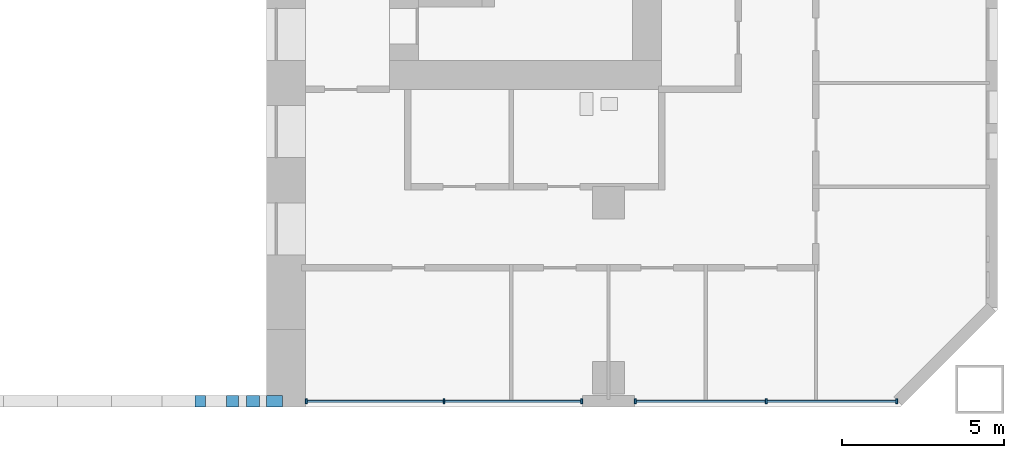
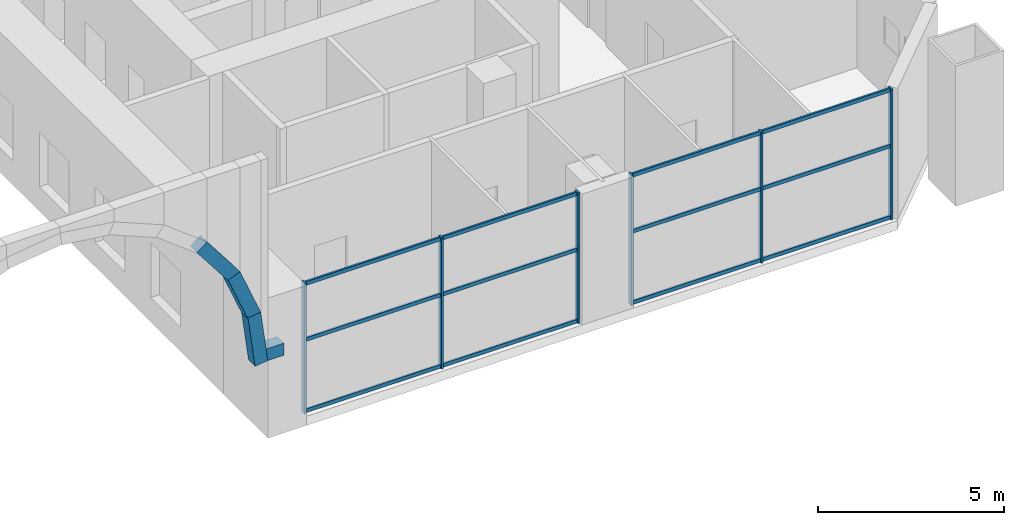
# One storey, part 6 of 21: 18 members, 4 beams, 2 elements without a shape of their own.
"""IFC4 building model written with IfcOpenShell, lengths in metres."""

from ifc_helpers import new_model, si_unit, direction, frame, origin, origin_2d, place, context, subcontext, project, spatial, rectangle, extrude, material, material_profile, profile_set, type_object, element, aggregate, save


model = new_model("IFC4")

# Units and contexts
model_context = context("Model", 3, precision=1e-05, world=origin(), true_north=direction((0.0, 1.0)))
body_context = subcontext(model_context, "Body", "Model", "MODEL_VIEW")
ifc_project = project(units=[si_unit("LENGTHUNIT", "METRE"), si_unit("AREAUNIT", "SQUARE_METRE"), si_unit("VOLUMEUNIT", "CUBIC_METRE"), si_unit("PLANEANGLEUNIT", "RADIAN"), si_unit("MASSUNIT", "GRAM", prefix="KILO")], contexts=[model_context])

# Site, building, storey
site_placement = place(None, origin())
site = spatial("IfcSite", under=ifc_project, at=site_placement, CompositionType="ELEMENT")
building_placement = place(site_placement, origin())
building = spatial("IfcBuilding", under=site, at=building_placement, Name="Tuart Gate Housing", CompositionType="ELEMENT")
storey_placement = place(building_placement, frame((0.0, 0.0, 5.5)))
storey = spatial("IfcBuildingStorey", under=building, at=storey_placement, Name="L01", CompositionType="ELEMENT", Elevation=5.5)

# Curtain wall, members
ifc_material_1 = material(Name="Aluminium and clear glass", Category="aluminium")
curtain_wall_type = type_object("IfcCurtainWallType", Name="Podium health glazing", PredefinedType="USERDEFINED", material=ifc_material_1)
curtain_wall_1_placement = place(storey_placement, origin())
curtain_wall_1 = element("IfcCurtainWall", 1, at=curtain_wall_1_placement, inside=storey, type_object=curtain_wall_type, Name="Podium health glazing B-S L01", ObjectType="PODIUM HEALTH GLAZING", PredefinedType="USERDEFINED")
ifc_material_2 = material(Name="Anodised aluminium", Category="aluminium")
ifc_material_profile_1 = material_profile(ifc_material_2, rectangle(XDim=0.06005859375, YDim=0.159912109375, at=origin_2d()), Name="60x160")
ifc_profile_set_1 = profile_set([ifc_material_profile_1], Name="Anodised aluminium")
member_type_1 = type_object("IfcMemberType", Name="Mullion 60 x 160", PredefinedType="MULLION", material=ifc_profile_set_1)
member_1_placement = place(storey_placement, frame((157.679931640625, 54.179931640625, 0.0), z_axis=(0.0, 0.0, 1.0), x_axis=(1.0, 0.0, 0.0)))
member_1 = element("IfcMember", 2, at=member_1_placement, type_object=member_type_1, Name="CW1 mullion 1", PredefinedType="MULLION", context=body_context, shape_type="SweptSolid", body=[
    extrude(rectangle(XDim=0.06005859375, YDim=0.159912109375, at=origin_2d()), origin(), (0.0, 0.0, 1.0), 4.300048828125),
])
member_2_placement = place(storey_placement, frame((161.925048828125, 54.179931640625, 0.0), z_axis=(0.0, 0.0, 1.0), x_axis=(1.0, 0.0, 0.0)))
member_2 = element("IfcMember", 3, at=member_2_placement, type_object=member_type_1, Name="CW1 mullion 2", PredefinedType="MULLION", context=body_context, shape_type="SweptSolid", body=[
    extrude(rectangle(XDim=0.06005859375, YDim=0.159912109375, at=origin_2d()), origin(), (0.0, 0.0, 1.0), 4.300048828125),
])
member_3_placement = place(storey_placement, frame((166.169921875, 54.179931640625, 0.0), z_axis=(0.0, 0.0, 1.0), x_axis=(1.0, 0.0, 0.0)))
member_3 = element("IfcMember", 4, at=member_3_placement, type_object=member_type_1, Name="CW1 mullion 3", PredefinedType="MULLION", context=body_context, shape_type="SweptSolid", body=[
    extrude(rectangle(XDim=0.06005859375, YDim=0.159912109375, at=origin_2d()), origin(), (0.0, 0.0, 1.0), 4.300048828125),
])

curtain_wall_2_placement = place(storey_placement, origin())
curtain_wall_2 = element("IfcCurtainWall", 5, at=curtain_wall_2_placement, inside=storey, type_object=curtain_wall_type, Name="Podium health glazing B-S L01", ObjectType="PODIUM HEALTH GLAZING", PredefinedType="USERDEFINED")
member_4_placement = place(storey_placement, frame((167.830078125, 54.179931640625, 0.0), z_axis=(0.0, 0.0, 1.0), x_axis=(1.0, 0.0, 0.0)))
member_4 = element("IfcMember", 6, at=member_4_placement, type_object=member_type_1, Name="CW1 mullion 1", PredefinedType="MULLION", context=body_context, shape_type="SweptSolid", body=[
    extrude(rectangle(XDim=0.06005859375, YDim=0.159912109375, at=origin_2d()), origin(), (0.0, 0.0, 1.0), 4.300048828125),
])
member_5_placement = place(storey_placement, frame((171.86279296875, 54.179931640625, 0.0), z_axis=(0.0, 0.0, 1.0), x_axis=(1.0, 0.0, 0.0)))
member_5 = element("IfcMember", 7, at=member_5_placement, type_object=member_type_1, Name="CW1 mullion 2", PredefinedType="MULLION", context=body_context, shape_type="SweptSolid", body=[
    extrude(rectangle(XDim=0.06005859375, YDim=0.159912109375, at=origin_2d()), origin(), (0.0, 0.0, 1.0), 4.300048828125),
])
member_6_placement = place(storey_placement, frame((175.8955078125, 54.179931640625, 0.0), z_axis=(0.0, 0.0, 1.0), x_axis=(1.0, 0.0, 0.0)))
member_6 = element("IfcMember", 8, at=member_6_placement, type_object=member_type_1, Name="CW1 mullion 3", PredefinedType="MULLION", context=body_context, shape_type="SweptSolid", body=[
    extrude(rectangle(XDim=0.06005859375, YDim=0.159912109375, at=origin_2d()), origin(), (0.0, 0.0, 1.0), 4.300048828125),
])

# Beams
ifc_material_3 = material(Name="Concrete C50", Category="concrete")
ifc_material_profile_2 = material_profile(ifc_material_3, rectangle(XDim=0.360107421875, YDim=0.39990234375, at=origin_2d()), Name="RC arch ring 360 x 400")
ifc_profile_set_2 = profile_set([ifc_material_profile_2], Name="Concrete C50")
beam_type = type_object("IfcBeamType", Name="RC arch ring 360 x 400", PredefinedType="BEAM", material=ifc_profile_set_2)
for number, where, z_axis, x_axis, name in (
    (9, (154.402099609375, 54.179931640625, 6.689208984375), (0.608778467774, 0.0, -0.793340265696), (0.0, 1.0, 0.0), "Arch rib beam BS segment 9"),
    (10, (155.401123046875, 54.179931640625, 5.3984375), (0.382637786924, 0.0, -0.923898438151), (0.0, 1.0, 0.0), "Arch rib beam BS segment 10"),
    (11, (156.031982421875, 54.179931640625, 3.893310546875), (0.130492018693, 0.0, -0.991449359805), (0.0, 1.0, 0.0), "Arch rib beam BS segment 11"),
):
    element("IfcBeam", number, at=place(storey_placement, frame(where, z_axis=z_axis, x_axis=x_axis)), inside=storey, type_object=beam_type, Name=name, PredefinedType="BEAM", context=body_context, shape_type="SweptSolid", body=[
        extrude(rectangle(XDim=0.360107421875, YDim=0.39990234375, at=origin_2d()), origin(), (0.0, 0.0, 1.0), 1.683837890625),
    ])
beam_placement = place(storey_placement, frame((156.10009765625, 54.179931640625, 2.449951171875), z_axis=(1.0, 0.0, 0.0), x_axis=(0.0, 1.0, 0.0)))
element("IfcBeam", 12, at=beam_placement, inside=storey, type_object=beam_type, Name="Arch seat beam BS east", PredefinedType="BEAM", context=body_context, shape_type="SweptSolid", body=[
    extrude(rectangle(XDim=0.360107421875, YDim=0.39990234375, at=origin_2d()), origin(), (0.0, 0.0, 1.0), 0.849853515625),
])

# Member
ifc_material_4 = material(Name="Anodised aluminium", Category="aluminium")
ifc_material_profile_3 = material_profile(ifc_material_4, rectangle(XDim=0.06005859375, YDim=0.1201171875, at=origin_2d()), Name="60x120")
ifc_profile_set_3 = profile_set([ifc_material_profile_3], Name="Anodised aluminium")
member_type_2 = type_object("IfcMemberType", Name="Transom 60 x 120", PredefinedType="USERDEFINED", material=ifc_profile_set_3)
member_7_placement = place(storey_placement, frame((157.7099609375, 54.179931640625, 0.06005859375), z_axis=(1.0, 0.0, 0.0), x_axis=(0.0, 1.0, 0.0)))
member_7 = element("IfcMember", 13, at=member_7_placement, type_object=member_type_2, Name="CW1 transom 1.1", ObjectType="TRANSOM", PredefinedType="USERDEFINED", context=body_context, shape_type="SweptSolid", body=[
    extrude(rectangle(XDim=0.06005859375, YDim=0.1201171875, at=origin_2d()), origin(), (0.0, 0.0, 1.0), 4.18505859375),
])

member_8_placement = place(storey_placement, frame((157.7099609375, 54.179931640625, 2.39990234375), z_axis=(1.0, 0.0, 0.0), x_axis=(0.0, 1.0, 0.0)))
member_8 = element("IfcMember", 14, at=member_8_placement, type_object=member_type_2, Name="CW1 transom 1.2", ObjectType="TRANSOM", PredefinedType="USERDEFINED", context=body_context, shape_type="SweptSolid", body=[
    extrude(rectangle(XDim=0.06005859375, YDim=0.1201171875, at=origin_2d()), origin(), (0.0, 0.0, 1.0), 4.18505859375),
])

member_9_placement = place(storey_placement, frame((157.7099609375, 54.179931640625, 4.239990234375), z_axis=(1.0, 0.0, 0.0), x_axis=(0.0, 1.0, 0.0)))
member_9 = element("IfcMember", 15, at=member_9_placement, type_object=member_type_2, Name="CW1 transom 1.3", ObjectType="TRANSOM", PredefinedType="USERDEFINED", context=body_context, shape_type="SweptSolid", body=[
    extrude(rectangle(XDim=0.06005859375, YDim=0.1201171875, at=origin_2d()), origin(), (0.0, 0.0, 1.0), 4.18505859375),
])

member_10_placement = place(storey_placement, frame((161.955078125, 54.179931640625, 0.06005859375), z_axis=(1.0, 0.0, 0.0), x_axis=(0.0, 1.0, 0.0)))
member_10 = element("IfcMember", 16, at=member_10_placement, type_object=member_type_2, Name="CW1 transom 2.1", ObjectType="TRANSOM", PredefinedType="USERDEFINED", context=body_context, shape_type="SweptSolid", body=[
    extrude(rectangle(XDim=0.06005859375, YDim=0.1201171875, at=origin_2d()), origin(), (0.0, 0.0, 1.0), 4.184814453125),
])

member_11_placement = place(storey_placement, frame((161.955078125, 54.179931640625, 2.39990234375), z_axis=(1.0, 0.0, 0.0), x_axis=(0.0, 1.0, 0.0)))
member_11 = element("IfcMember", 17, at=member_11_placement, type_object=member_type_2, Name="CW1 transom 2.2", ObjectType="TRANSOM", PredefinedType="USERDEFINED", context=body_context, shape_type="SweptSolid", body=[
    extrude(rectangle(XDim=0.06005859375, YDim=0.1201171875, at=origin_2d()), origin(), (0.0, 0.0, 1.0), 4.184814453125),
])

member_12_placement = place(storey_placement, frame((161.955078125, 54.179931640625, 4.239990234375), z_axis=(1.0, 0.0, 0.0), x_axis=(0.0, 1.0, 0.0)))
member_12 = element("IfcMember", 18, at=member_12_placement, type_object=member_type_2, Name="CW1 transom 2.3", ObjectType="TRANSOM", PredefinedType="USERDEFINED", context=body_context, shape_type="SweptSolid", body=[
    extrude(rectangle(XDim=0.06005859375, YDim=0.1201171875, at=origin_2d()), origin(), (0.0, 0.0, 1.0), 4.184814453125),
])

aggregate(curtain_wall_1, [member_1, member_2, member_3, member_7, member_8, member_9, member_10, member_11, member_12])

member_13_placement = place(storey_placement, frame((167.860107421875, 54.179931640625, 0.06005859375), z_axis=(1.0, 0.0, 0.0), x_axis=(0.0, 1.0, 0.0)))
member_13 = element("IfcMember", 19, at=member_13_placement, type_object=member_type_2, Name="CW1 transom 1.1", ObjectType="TRANSOM", PredefinedType="USERDEFINED", context=body_context, shape_type="SweptSolid", body=[
    extrude(rectangle(XDim=0.06005859375, YDim=0.1201171875, at=origin_2d()), origin(), (0.0, 0.0, 1.0), 3.97265625),
])

member_14_placement = place(storey_placement, frame((167.860107421875, 54.179931640625, 2.39990234375), z_axis=(1.0, 0.0, 0.0), x_axis=(0.0, 1.0, 0.0)))
member_14 = element("IfcMember", 20, at=member_14_placement, type_object=member_type_2, Name="CW1 transom 1.2", ObjectType="TRANSOM", PredefinedType="USERDEFINED", context=body_context, shape_type="SweptSolid", body=[
    extrude(rectangle(XDim=0.06005859375, YDim=0.1201171875, at=origin_2d()), origin(), (0.0, 0.0, 1.0), 3.97265625),
])

member_15_placement = place(storey_placement, frame((167.860107421875, 54.179931640625, 4.239990234375), z_axis=(1.0, 0.0, 0.0), x_axis=(0.0, 1.0, 0.0)))
member_15 = element("IfcMember", 21, at=member_15_placement, type_object=member_type_2, Name="CW1 transom 1.3", ObjectType="TRANSOM", PredefinedType="USERDEFINED", context=body_context, shape_type="SweptSolid", body=[
    extrude(rectangle(XDim=0.06005859375, YDim=0.1201171875, at=origin_2d()), origin(), (0.0, 0.0, 1.0), 3.97265625),
])

member_16_placement = place(storey_placement, frame((171.892822265625, 54.179931640625, 0.06005859375), z_axis=(1.0, 0.0, 0.0), x_axis=(0.0, 1.0, 0.0)))
member_16 = element("IfcMember", 22, at=member_16_placement, type_object=member_type_2, Name="CW1 transom 2.1", ObjectType="TRANSOM", PredefinedType="USERDEFINED", context=body_context, shape_type="SweptSolid", body=[
    extrude(rectangle(XDim=0.06005859375, YDim=0.1201171875, at=origin_2d()), origin(), (0.0, 0.0, 1.0), 3.97265625),
])

member_17_placement = place(storey_placement, frame((171.892822265625, 54.179931640625, 2.39990234375), z_axis=(1.0, 0.0, 0.0), x_axis=(0.0, 1.0, 0.0)))
member_17 = element("IfcMember", 23, at=member_17_placement, type_object=member_type_2, Name="CW1 transom 2.2", ObjectType="TRANSOM", PredefinedType="USERDEFINED", context=body_context, shape_type="SweptSolid", body=[
    extrude(rectangle(XDim=0.06005859375, YDim=0.1201171875, at=origin_2d()), origin(), (0.0, 0.0, 1.0), 3.97265625),
])

member_18_placement = place(storey_placement, frame((171.892822265625, 54.179931640625, 4.239990234375), z_axis=(1.0, 0.0, 0.0), x_axis=(0.0, 1.0, 0.0)))
member_18 = element("IfcMember", 24, at=member_18_placement, type_object=member_type_2, Name="CW1 transom 2.3", ObjectType="TRANSOM", PredefinedType="USERDEFINED", context=body_context, shape_type="SweptSolid", body=[
    extrude(rectangle(XDim=0.06005859375, YDim=0.1201171875, at=origin_2d()), origin(), (0.0, 0.0, 1.0), 3.97265625),
])

aggregate(curtain_wall_2, [member_4, member_5, member_6, member_13, member_14, member_15, member_16, member_17, member_18])

save(model, "model.ifc")
